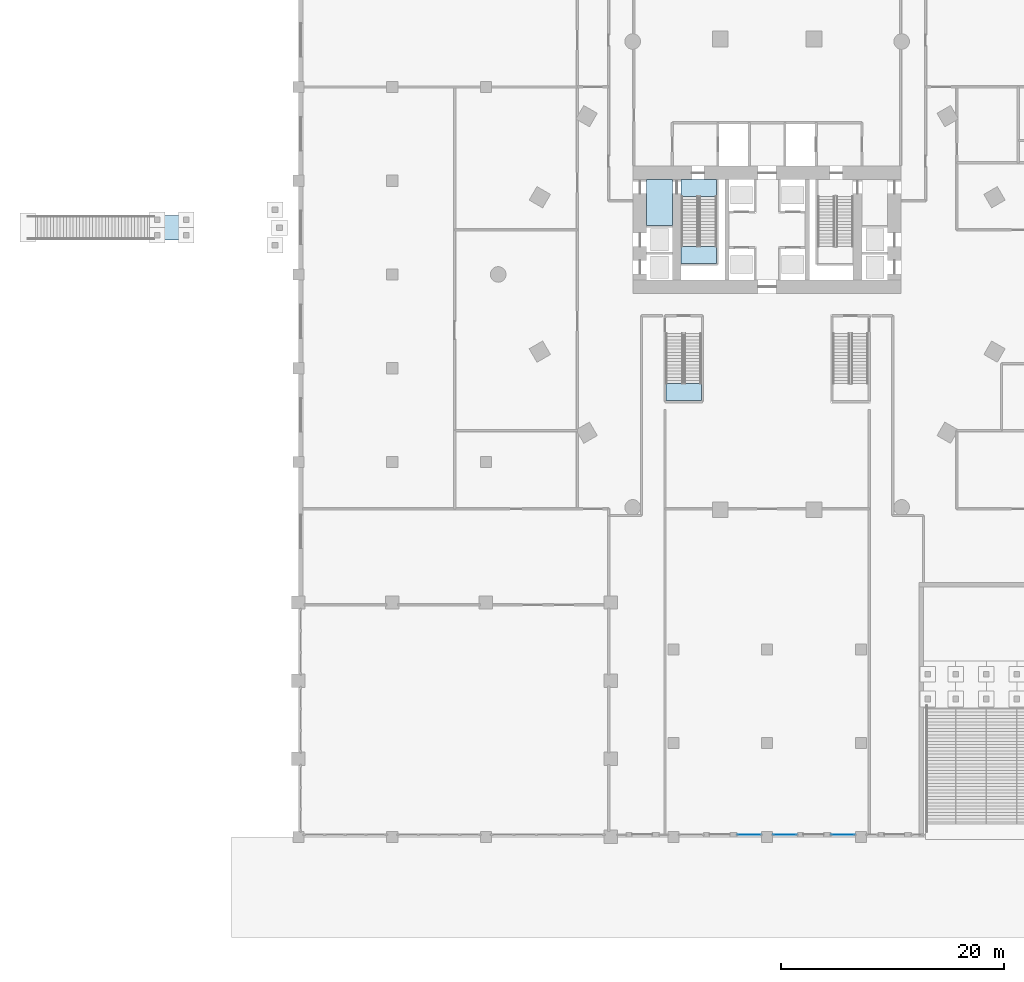
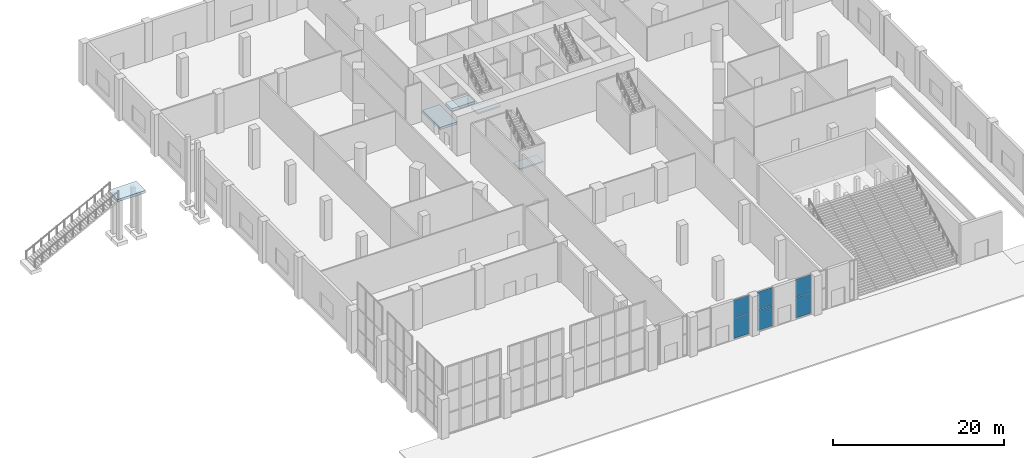
# One storey, part 10 of 25: 6 plates, 5 slabs, 6 elements without a shape of their own.
"""IFC4 building model written with IfcOpenShell, lengths in metres."""

from ifc_helpers import new_model, si_unit, direction, frame, origin, origin_2d, place, context, subcontext, project, spatial, polyline, rectangle, outline, extrude, material, layer, layer_set, type_object, element, aggregate, save


model = new_model("IFC4")

# Units and contexts
model_context = context("Model", 3, precision=1e-05, world=origin(), true_north=direction((0.0, 1.0)))
body_context = subcontext(model_context, "Body", "Model", "MODEL_VIEW")
ifc_project = project(units=[si_unit("LENGTHUNIT", "METRE"), si_unit("AREAUNIT", "SQUARE_METRE"), si_unit("VOLUMEUNIT", "CUBIC_METRE"), si_unit("PLANEANGLEUNIT", "RADIAN"), si_unit("MASSUNIT", "GRAM", prefix="KILO")], contexts=[model_context])

# Site, building, storey
site_placement = place(None, origin())
site = spatial("IfcSite", under=ifc_project, at=site_placement, CompositionType="ELEMENT")
building_placement = place(site_placement, origin())
building = spatial("IfcBuilding", under=site, at=building_placement, Name="Ostrander Bayou Hotel Tower", CompositionType="ELEMENT")
storey_placement = place(building_placement, origin())
storey = spatial("IfcBuildingStorey", under=building, at=storey_placement, Name="L00", CompositionType="ELEMENT", Elevation=0.0)

# Curtain wall, plates
ifc_material_1 = material(Name="Aluminium and clear glass", Category="aluminium")
curtain_wall_type = type_object("IfcCurtainWallType", Name="CW-LOBBY glazed wall", PredefinedType="NOTDEFINED", material=ifc_material_1)
curtain_wall_1_placement = place(storey_placement, origin())
curtain_wall_1 = element("IfcCurtainWall", 1, at=curtain_wall_1_placement, inside=storey, type_object=curtain_wall_type, Name="CW-LOBBY L00:3:A", PredefinedType="NOTDEFINED")
ifc_material_2 = material(Name="Clear laminated glass", Category="glass")
ifc_layer_1 = layer(ifc_material_2, 0.028076171875)
ifc_layer_set_1 = layer_set([ifc_layer_1], Name="CW-LO glazing panel 28 mm")
plate_type = type_object("IfcPlateType", Name="CW-LO glazing panel 28 mm", PredefinedType="CURTAIN_PANEL", material=ifc_layer_set_1)
plate_1_placement = place(storey_placement, frame((6.800048828125, -50.199951171875, 0.06005859375), z_axis=(0.0, 0.0, 1.0), x_axis=(-1.0, 0.0, 0.0)))
plate_1 = element("IfcPlate", 2, at=plate_1_placement, type_object=plate_type, Name="CW-LOBBY panel 1.1", PredefinedType="CURTAIN_PANEL", context=body_context, shape_type="SweptSolid", body=[
    extrude(rectangle(XDim=2.080078125, YDim=0.028076171875, at=origin_2d()), origin(), (0.0, 0.0, 1.0), 2.909912109375),
])
plate_2_placement = place(storey_placement, frame((6.800048828125, -50.199951171875, 3.030029296875), z_axis=(0.0, 0.0, 1.0), x_axis=(-1.0, 0.0, 0.0)))
plate_2 = element("IfcPlate", 3, at=plate_2_placement, type_object=plate_type, Name="CW-LOBBY panel 1.2", PredefinedType="CURTAIN_PANEL", context=body_context, shape_type="SweptSolid", body=[
    extrude(rectangle(XDim=2.080078125, YDim=0.028076171875, at=origin_2d()), origin(), (0.0, 0.0, 1.0), 2.56005859375),
])
aggregate(curtain_wall_1, [plate_1, plate_2])

curtain_wall_2_placement = place(storey_placement, origin())
curtain_wall_2 = element("IfcCurtainWall", 4, at=curtain_wall_2_placement, inside=storey, type_object=curtain_wall_type, Name="CW-LOBBY L00:3:B", PredefinedType="NOTDEFINED")
plate_3_placement = place(storey_placement, frame((1.60009765625, -50.199951171875, 0.06005859375), z_axis=(0.0, 0.0, 1.0), x_axis=(-1.0, 0.0, 0.0)))
plate_3 = element("IfcPlate", 5, at=plate_3_placement, type_object=plate_type, Name="CW-LOBBY panel 1.1", PredefinedType="CURTAIN_PANEL", context=body_context, shape_type="SweptSolid", body=[
    extrude(rectangle(XDim=2.080078125, YDim=0.028076171875, at=origin_2d()), origin(), (0.0, 0.0, 1.0), 2.909912109375),
])
plate_4_placement = place(storey_placement, frame((1.60009765625, -50.199951171875, 3.030029296875), z_axis=(0.0, 0.0, 1.0), x_axis=(-1.0, 0.0, 0.0)))
plate_4 = element("IfcPlate", 6, at=plate_4_placement, type_object=plate_type, Name="CW-LOBBY panel 1.2", PredefinedType="CURTAIN_PANEL", context=body_context, shape_type="SweptSolid", body=[
    extrude(rectangle(XDim=2.080078125, YDim=0.028076171875, at=origin_2d()), origin(), (0.0, 0.0, 1.0), 2.56005859375),
])
aggregate(curtain_wall_2, [plate_3, plate_4])

curtain_wall_3_placement = place(storey_placement, origin())
curtain_wall_3 = element("IfcCurtainWall", 7, at=curtain_wall_3_placement, inside=storey, type_object=curtain_wall_type, Name="CW-LOBBY L00:4:A", PredefinedType="NOTDEFINED")
plate_5_placement = place(storey_placement, frame((-1.60009765625, -50.199951171875, 0.06005859375), z_axis=(0.0, 0.0, 1.0), x_axis=(-1.0, 0.0, 0.0)))
plate_5 = element("IfcPlate", 8, at=plate_5_placement, type_object=plate_type, Name="CW-LOBBY panel 1.1", PredefinedType="CURTAIN_PANEL", context=body_context, shape_type="SweptSolid", body=[
    extrude(rectangle(XDim=2.080078125, YDim=0.028076171875, at=origin_2d()), origin(), (0.0, 0.0, 1.0), 2.909912109375),
])
plate_6_placement = place(storey_placement, frame((-1.60009765625, -50.199951171875, 3.030029296875), z_axis=(0.0, 0.0, 1.0), x_axis=(-1.0, 0.0, 0.0)))
plate_6 = element("IfcPlate", 9, at=plate_6_placement, type_object=plate_type, Name="CW-LOBBY panel 1.2", PredefinedType="CURTAIN_PANEL", context=body_context, shape_type="SweptSolid", body=[
    extrude(rectangle(XDim=2.080078125, YDim=0.028076171875, at=origin_2d()), origin(), (0.0, 0.0, 1.0), 2.56005859375),
])
aggregate(curtain_wall_3, [plate_5, plate_6])

# Stair, slab
ifc_material_3 = material(Name="Concrete f'c 45 MPa", Category="concrete")
stair_type_1 = type_object("IfcStairType", Name="ST1 exit stair 1500 mm f'c 45 MPa", PredefinedType="HALF_TURN_STAIR", material=ifc_material_3)
stair_1_placement = place(storey_placement, origin())
stair_1 = element("IfcStair", 10, at=stair_1_placement, inside=storey, type_object=stair_type_1, Name="L00 exit stair A", PredefinedType="HALF_TURN_STAIR")
ifc_material_4 = material(Name="Concrete f'c 45 MPa", Category="concrete")
ifc_layer_2 = layer(ifc_material_4, 0.199951171875)
ifc_layer_set_2 = layer_set([ifc_layer_2], Name="SL8 stair landing 200 mm f'c 45 MPa")
slab_type_1 = type_object("IfcSlabType", Name="SL8 stair landing 200 mm f'c 45 MPa", PredefinedType="LANDING", material=ifc_layer_set_2)
slab_1_placement = place(storey_placement, frame((0.0, 0.0, 2.800048828125)))
slab_1 = element("IfcSlab", 11, at=slab_1_placement, type_object=slab_type_1, Name="STA landing 1", PredefinedType="LANDING", context=body_context, shape_type="SweptSolid", body=[
    extrude(outline(polyline([(-7.699951171875, 2.52001953125), (-7.699951171875, 1.0), (-4.550048828125, 1.0), (-4.550048828125, 2.52001953125), (-7.699951171875, 2.52001953125)])), origin(), (0.0, 0.0, 1.0), 0.199951171875),
])
aggregate(stair_1, [slab_1])

stair_2_placement = place(storey_placement, origin())
stair_2 = element("IfcStair", 12, at=stair_2_placement, inside=storey, type_object=stair_type_1, Name="L00 exit stair D", PredefinedType="HALF_TURN_STAIR")
slab_2_placement = place(storey_placement, frame((0.0, 0.0, 2.800048828125)))
slab_2 = element("IfcSlab", 13, at=slab_2_placement, type_object=slab_type_1, Name="STD landing 1", PredefinedType="LANDING", context=body_context, shape_type="SweptSolid", body=[
    extrude(outline(polyline([(-9.050048828125, -9.780029296875), (-9.050048828125, -11.300048828125), (-5.89990234375, -11.300048828125), (-5.89990234375, -9.780029296875), (-9.050048828125, -9.780029296875)])), origin(), (0.0, 0.0, 1.0), 0.199951171875),
])
aggregate(stair_2, [slab_2])

# Slabs
ifc_material_5 = material(Name="Concrete f'c 45 MPa", Category="concrete")
ifc_layer_3 = layer(ifc_material_5, 0.35009765625)
ifc_layer_set_3 = layer_set([ifc_layer_3], Name="SL9 podium core floor slab 350 mm f'c 45 MPa")
slab_type_2 = type_object("IfcSlabType", Name="SL9 podium core floor slab 350 mm f'c 45 MPa", PredefinedType="FLOOR", material=ifc_layer_set_3)
slab_3_placement = place(storey_placement, frame((0.0, 0.0, -0.35009765625)))
element("IfcSlab", 14, at=slab_3_placement, inside=storey, type_object=slab_type_2, Name="cslab:L00:002", PredefinedType="FLOOR", context=body_context, shape_type="SweptSolid", body=[
    extrude(outline(polyline([(-8.5, 4.39990234375), (-8.5, 8.5), (-10.800048828125, 8.5), (-10.800048828125, 4.39990234375), (-8.5, 4.39990234375)])), origin(), (0.0, 0.0, 1.0), 0.35009765625),
])
slab_4_placement = place(storey_placement, frame((0.0, 0.0, -0.35009765625)))
element("IfcSlab", 15, at=slab_4_placement, inside=storey, type_object=slab_type_2, Name="cslab:L00:004", PredefinedType="FLOOR", context=body_context, shape_type="SweptSolid", body=[
    extrude(outline(polyline([(-4.550048828125, 7.0), (-4.550048828125, 8.5), (-7.699951171875, 8.5), (-7.699951171875, 7.0), (-4.550048828125, 7.0)])), origin(), (0.0, 0.0, 1.0), 0.35009765625),
])

# Stair, slab
ifc_material_6 = material(Name="Concrete f'c 40 MPa", Category="concrete")
stair_type_2 = type_object("IfcStairType", Name="ST11 deck stair 2200 mm", PredefinedType="STRAIGHT_RUN_STAIR", material=ifc_material_6)
stair_3_placement = place(storey_placement, origin())
stair_3 = element("IfcStair", 16, at=stair_3_placement, inside=storey, type_object=stair_type_2, Name="ST11 deck stair W", PredefinedType="STRAIGHT_RUN_STAIR")
ifc_material_7 = material(Name="Concrete f'c 40 MPa", Category="concrete")
ifc_layer_4 = layer(ifc_material_7, 0.35009765625)
ifc_layer_set_4 = layer_set([ifc_layer_4], Name="ST11 stair landing 350 mm")
slab_type_3 = type_object("IfcSlabType", Name="ST11 stair landing 350 mm", PredefinedType="LANDING", material=ifc_layer_set_4)
slab_5_placement = place(storey_placement, frame((0.0, 0.0, 5.64990234375)))
slab_5 = element("IfcSlab", 17, at=slab_5_placement, type_object=slab_type_3, Name="ST11 landing 1", PredefinedType="LANDING", context=body_context, shape_type="SweptSolid", body=[
    extrude(outline(polyline([(-51.340087890625, 5.300048828125), (-51.340087890625, 3.10009765625), (-55.139892578125, 3.10009765625), (-55.139892578125, 5.300048828125), (-51.340087890625, 5.300048828125)])), origin(), (0.0, 0.0, 1.0), 0.35009765625),
])
aggregate(stair_3, [slab_5])

save(model, "model.ifc")
